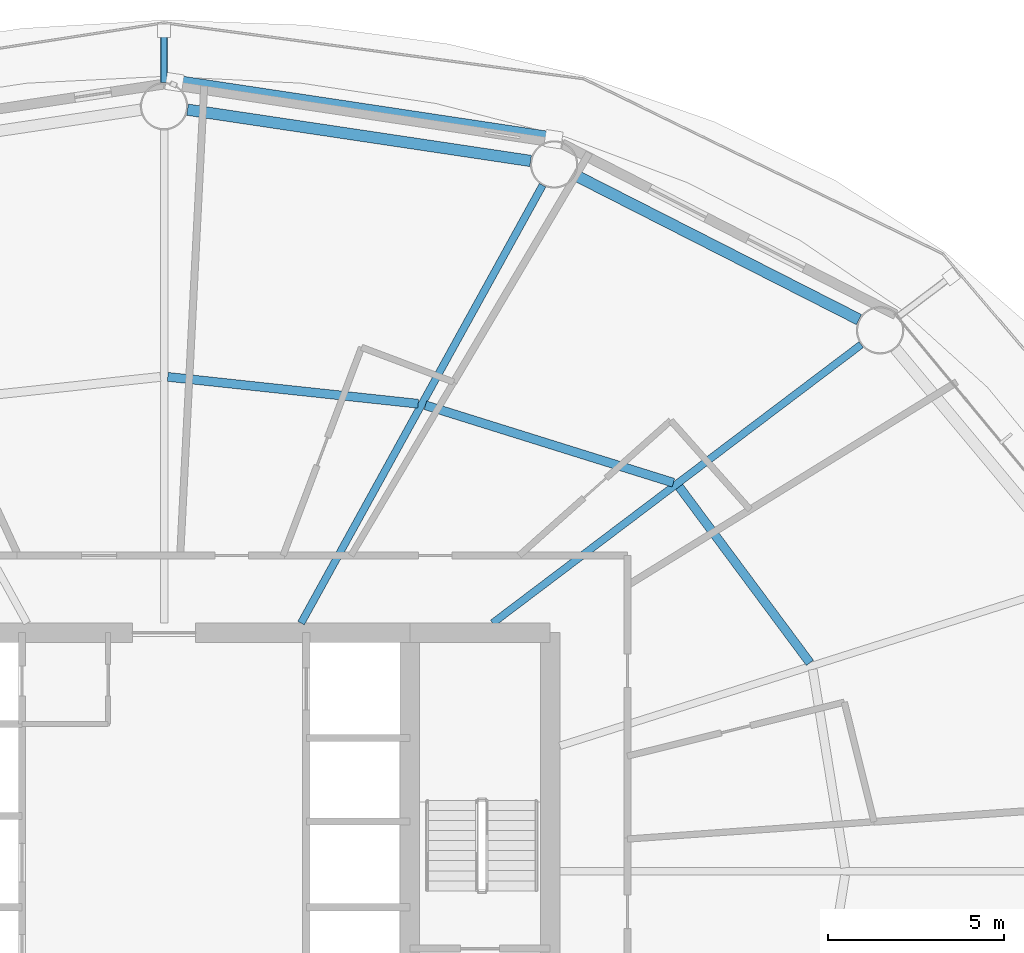
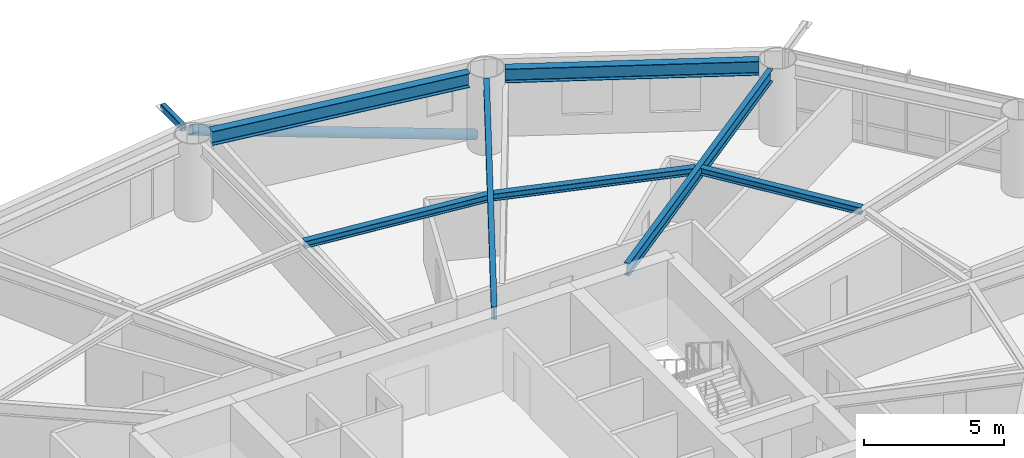
# One storey, part 11 of 24: 7 beams, 2 members.
"""IFC4 building model written with IfcOpenShell, lengths in metres."""

from ifc_helpers import new_model, si_unit, direction, frame, origin, origin_2d, place, context, subcontext, project, spatial, hollow_rectangle, hollow_circle, i_section, extrude, material, material_profile, profile_set, type_object, element, save


model = new_model("IFC4")

# Units and contexts
model_context = context("Model", 3, precision=1e-05, world=origin(), true_north=direction((0.0, 1.0)))
body_context = subcontext(model_context, "Body", "Model", "MODEL_VIEW")
ifc_project = project(units=[si_unit("LENGTHUNIT", "METRE"), si_unit("AREAUNIT", "SQUARE_METRE"), si_unit("VOLUMEUNIT", "CUBIC_METRE"), si_unit("PLANEANGLEUNIT", "RADIAN"), si_unit("MASSUNIT", "GRAM", prefix="KILO")], contexts=[model_context])

# Site, building, storey
site_placement = place(None, origin())
site = spatial("IfcSite", under=ifc_project, at=site_placement, CompositionType="ELEMENT")
building_placement = place(site_placement, origin())
building = spatial("IfcBuilding", under=site, at=building_placement, Name="Sarneth Arch Tower", CompositionType="ELEMENT")
storey_placement = place(building_placement, frame((0.0, 0.0, 91.199951171875)))
storey = spatial("IfcBuildingStorey", under=building, at=storey_placement, Name="L22", CompositionType="ELEMENT", Elevation=91.199951171875)

# Beams
ifc_material_1 = material(Name="Steel S355", Category="steel")
ifc_material_profile_1 = material_profile(ifc_material_1, i_section(OverallWidth=0.25390625, OverallDepth=0.305908203125, WebThickness=0.0087890625, FlangeThickness=0.0146484375, FilletRadius=0.014892578125, at=origin_2d()), Name="W310x79")
ifc_profile_set_1 = profile_set([ifc_material_profile_1], Name="Steel S355")
beam_type_1 = type_object("IfcBeamType", Name="BM-JOIST-310A", PredefinedType="JOIST", material=ifc_profile_set_1)
beam_1_placement = place(storey_placement, frame((66.3984375, 47.942626953125, 3.22705078125), z_axis=(-0.596354224217, 0.80272139579, 0.0), x_axis=(-0.80272139579, -0.596354224217, 0.0)))
element("IfcBeam", 1, at=beam_1_placement, inside=storey, type_object=beam_type_1, Name="L22 Secondary floor joist 02", PredefinedType="JOIST", context=body_context, shape_type="SweptSolid", body=[
    extrude(i_section(OverallWidth=0.25390625, OverallDepth=0.305908203125, WebThickness=0.0087890625, FlangeThickness=0.0146484375, FilletRadius=0.014892578125, at=origin_2d()), origin(), (0.0, 0.0, 1.0), 6.246337890625),
])
beam_2_placement = place(storey_placement, frame((62.509765625, 53.072998046875, 3.22705078125), z_axis=(-0.9544870201, 0.298252457594, 0.0), x_axis=(-0.298252457594, -0.9544870201, 0.0)))
element("IfcBeam", 2, at=beam_2_placement, inside=storey, type_object=beam_type_1, Name="L22 Secondary floor joist 03", PredefinedType="JOIST", context=body_context, shape_type="SweptSolid", body=[
    extrude(i_section(OverallWidth=0.25390625, OverallDepth=0.305908203125, WebThickness=0.0087890625, FlangeThickness=0.0146484375, FilletRadius=0.014892578125, at=origin_2d()), origin(), (0.0, 0.0, 1.0), 7.40234375),
])
beam_3_placement = place(storey_placement, frame((55.238525390625, 55.323486328125, 3.22705078125), z_axis=(-0.99429330851, 0.106680910441, 0.0), x_axis=(-0.106680910441, -0.99429330851, 0.0)))
element("IfcBeam", 3, at=beam_3_placement, inside=storey, type_object=beam_type_1, Name="L22 Secondary floor joist 04", PredefinedType="JOIST", context=body_context, shape_type="SweptSolid", body=[
    extrude(i_section(OverallWidth=0.25390625, OverallDepth=0.305908203125, WebThickness=0.0087890625, FlangeThickness=0.0146484375, FilletRadius=0.014892578125, at=origin_2d()), origin(), (0.0, 0.0, 1.0), 7.174560546875),
])
ifc_material_2 = material(Name="Steel S355", Category="steel")
ifc_material_profile_2 = material_profile(ifc_material_2, i_section(OverallWidth=0.2109375, OverallDepth=0.5390625, WebThickness=0.01171875, FlangeThickness=0.018798828125, FilletRadius=0.01806640625, at=origin_2d()), Name="W530x109")
ifc_profile_set_2 = profile_set([ifc_material_profile_2], Name="Steel S355")
beam_type_2 = type_object("IfcBeamType", Name="BM-RAD-530B", PredefinedType="BEAM", material=ifc_profile_set_2)
beam_4_placement = place(storey_placement, frame((57.36181640625, 49.074951171875, 3.110595703125), z_axis=(0.797801476102, 0.602920230818, 0.0), x_axis=(-0.602920230818, 0.797801476102, 0.0)))
element("IfcBeam", 4, at=beam_4_placement, inside=storey, type_object=beam_type_2, Name="L22 Radial floor girder 03", PredefinedType="BEAM", context=body_context, shape_type="SweptSolid", body=[
    extrude(i_section(OverallWidth=0.2109375, OverallDepth=0.5390625, WebThickness=0.01171875, FlangeThickness=0.018798828125, FilletRadius=0.01806640625, at=origin_2d()), origin(), (0.0, 0.0, 1.0), 13.15771484375),
])
beam_5_placement = place(storey_placement, frame((51.90283203125, 49.074951171875, 3.110595703125), z_axis=(0.48301301286, 0.875613173387, 0.0), x_axis=(-0.875613173387, 0.48301301286, 0.0)))
element("IfcBeam", 5, at=beam_5_placement, inside=storey, type_object=beam_type_2, Name="L22 Radial floor girder 04", PredefinedType="BEAM", context=body_context, shape_type="SweptSolid", body=[
    extrude(i_section(OverallWidth=0.2109375, OverallDepth=0.5390625, WebThickness=0.01171875, FlangeThickness=0.018798828125, FilletRadius=0.01806640625, at=origin_2d()), origin(), (0.0, 0.0, 1.0), 14.246826171875),
])
ifc_material_3 = material(Name="Steel S355", Category="steel")
ifc_material_profile_3 = material_profile(ifc_material_3, i_section(OverallWidth=0.323974609375, OverallDepth=0.611083984375, WebThickness=0.0126953125, FlangeThickness=0.01904296875, FilletRadius=0.01904296875, at=origin_2d()), Name="W610x155")
ifc_profile_set_3 = profile_set([ifc_material_profile_3], Name="Steel S355")
beam_type_3 = type_object("IfcBeamType", Name="BM-SPAN-610B", PredefinedType="SPANDREL", material=ifc_profile_set_3)
beam_6_placement = place(storey_placement, frame((67.796142578125, 57.720947265625, 3.074462890625), z_axis=(-0.891255891792, 0.453500755619, 0.0), x_axis=(-0.453500755619, -0.891255891792, 0.0)))
element("IfcBeam", 6, at=beam_6_placement, inside=storey, type_object=beam_type_3, Name="L22 Perimeter spandrel beam 03", PredefinedType="SPANDREL", context=body_context, shape_type="SweptSolid", body=[
    extrude(i_section(OverallWidth=0.323974609375, OverallDepth=0.611083984375, WebThickness=0.0126953125, FlangeThickness=0.01904296875, FilletRadius=0.01904296875, at=origin_2d()), origin(), (0.0, 0.0, 1.0), 9.070556640625),
])
beam_7_placement = place(storey_placement, frame((58.442626953125, 62.240234375, 3.074462890625), z_axis=(-0.989029828744, 0.147715936359, 0.0), x_axis=(-0.147715936359, -0.989029828744, 0.0)))
element("IfcBeam", 7, at=beam_7_placement, inside=storey, type_object=beam_type_3, Name="L22 Perimeter spandrel beam 04", PredefinedType="SPANDREL", context=body_context, shape_type="SweptSolid", body=[
    extrude(i_section(OverallWidth=0.323974609375, OverallDepth=0.611083984375, WebThickness=0.0126953125, FlangeThickness=0.01904296875, FilletRadius=0.01904296875, at=origin_2d()), origin(), (0.0, 0.0, 1.0), 9.883544921875),
])

# Members
ifc_material_4 = material(Name="Steel S355", Category="steel")
ifc_material_profile_4 = material_profile(ifc_material_4, hollow_rectangle(XDim=0.199951171875, YDim=0.300048828125, WallThickness=0.012451171875, InnerFilletRadius=0.018798828125, OuterFilletRadius=0.03125, at=origin_2d()), Name="RHS300x200x12.5")
ifc_profile_set_4 = profile_set([ifc_material_profile_4], Name="Steel S355")
member_type_1 = type_object("IfcMemberType", Name="MEM-CANT-STRUT", PredefinedType="STRUT", material=ifc_profile_set_4)
member_1_placement = place(storey_placement, frame((48.0, 64.47509765625, 3.219970703125), z_axis=(0.0, 1.0, 0.0), x_axis=(-1.0, 0.0, 0.0)))
element("IfcMember", 8, at=member_1_placement, inside=storey, type_object=member_type_1, Name="L22 Balcony cantilever bracket 05", PredefinedType="STRUT", context=body_context, shape_type="SweptSolid", body=[
    extrude(hollow_rectangle(XDim=0.199951171875, YDim=0.300048828125, WallThickness=0.012451171875, InnerFilletRadius=0.018798828125, OuterFilletRadius=0.03125, at=origin_2d()), origin(), (0.0, 0.0, 1.0), 1.4775390625),
])
ifc_material_5 = material(Name="Steel S355", Category="steel")
ifc_material_profile_5 = material_profile(ifc_material_5, hollow_circle(Radius=0.202880859375, WallThickness=0.01611328125, at=origin_2d()), Name="CHS406x16")
ifc_profile_set_5 = profile_set([ifc_material_profile_5], Name="Steel S355")
member_type_2 = type_object("IfcMemberType", Name="MEM-DIAG-BR2", PredefinedType="BRACE", material=ifc_profile_set_5)
member_2_placement = place(storey_placement, frame((59.0927734375, 62.859619140625, 0.02001953125), z_axis=(-0.953656635145, 0.143605968509, 0.264416996529), x_axis=(-0.148905755657, -0.988851392239, 0.0)))
element("IfcMember", 9, at=member_2_placement, inside=storey, type_object=member_type_2, Name="L22 Perimeter frame diagonal 04", PredefinedType="BRACE", context=body_context, shape_type="SweptSolid", body=[
    extrude(hollow_circle(Radius=0.202880859375, WallThickness=0.01611328125, at=origin_2d()), origin(), (0.0, 0.0, 1.0), 11.32080078125),
])

save(model, "model.ifc")
